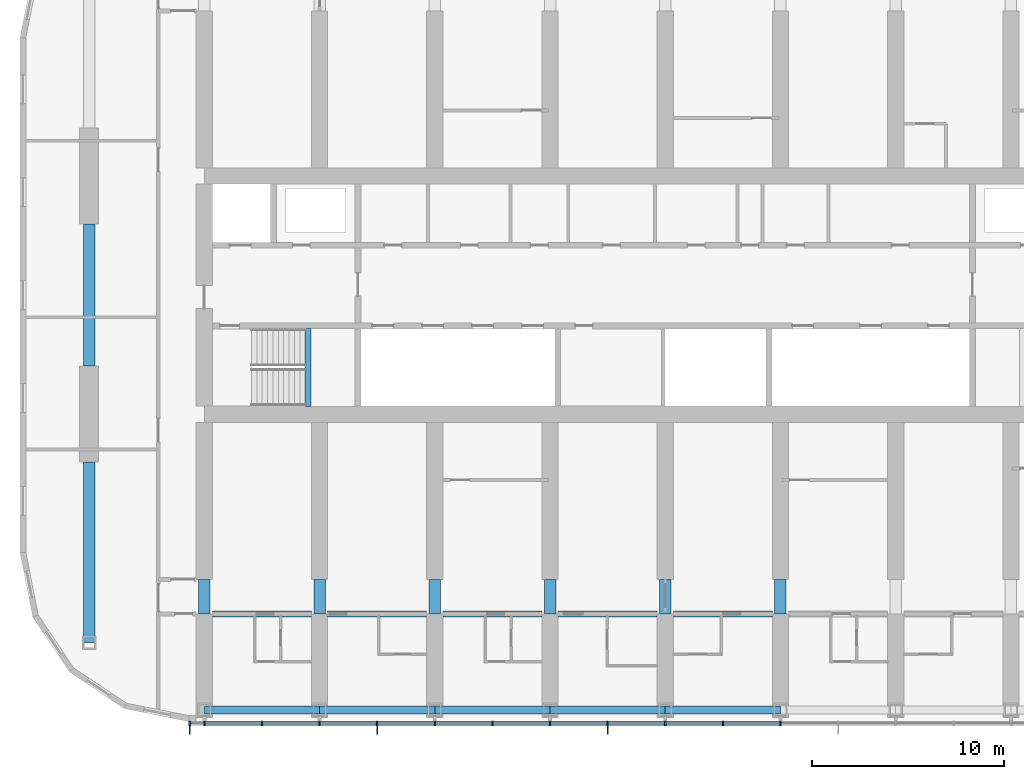
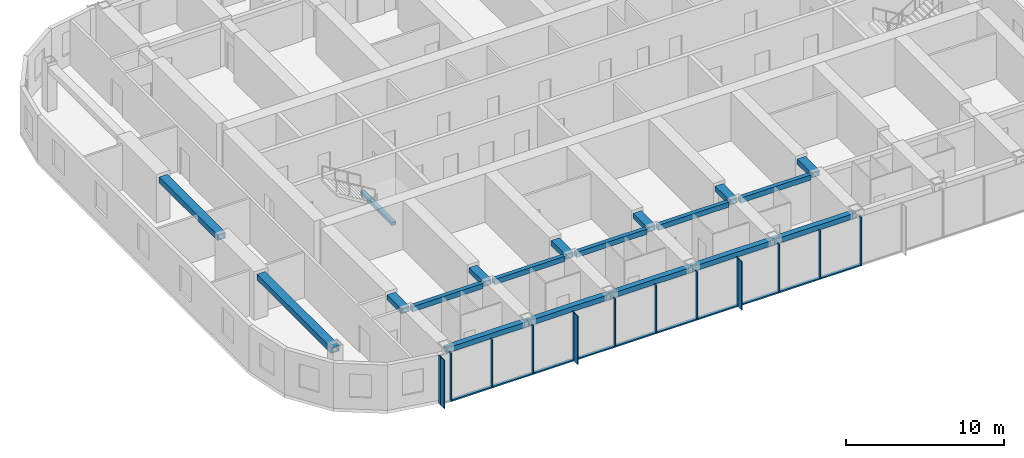
# One storey, part 2 of 22: 25 members, 19 beams, 1 element without a shape of its own.
"""IFC4 building model written with IfcOpenShell, lengths in metres."""

import ifcopenshell
import ifcopenshell.guid

model = None  # the IFC model being written
_history = None  # IfcOwnerHistory: only IFC2X3 demands one
_inside = {}  # id of a spatial element -> (the spatial element, [elements in it])
_under = {}  # id of a project, library or spatial element -> (it, [spatial elements below it])
_declared = {}  # id of a project -> (the project, [libraries it declares])
_typed = {}  # id of a type object -> (the type object, [elements of that type])
_made_of = {}  # id of a material, layer set ... -> (it, [elements and type objects made of it])


def new_model(schema):
    """Start an empty IFC model of exactly this schema.

    Asked for "IFC4X3", IfcOpenShell would pick the latest addendum, in which some entities
    have other attributes; the version numbers below select the first issue.
    IFC2X3 requires an IfcOwnerHistory on every rooted entity: one is made here for all.
    """
    global model, _history
    if schema == "IFC4X3":
        model = ifcopenshell.file(schema_version=(4, 3, 0, 0))
    else:
        model = ifcopenshell.file(schema=schema)
    _inside.clear()
    _under.clear()
    _declared.clear()
    _typed.clear()
    _made_of.clear()
    _history = None
    if model.schema == "IFC2X3":
        org = make("IfcOrganization", Name="unknown")
        user = make(
            "IfcPersonAndOrganization",
            ThePerson=make("IfcPerson", FamilyName="unknown"),
            TheOrganization=org,
        )
        app = make(
            "IfcApplication",
            ApplicationDeveloper=org,
            Version="unknown",
            ApplicationFullName="unknown",
            ApplicationIdentifier="unknown",
        )
        _history = make(
            "IfcOwnerHistory",
            OwningUser=user,
            OwningApplication=app,
            ChangeAction="ADDED",
            CreationDate=0,
        )
    return model


def make(cls, **values):
    """One entity of the class cls with the attributes given. An attribute that is None is left unset."""
    return model.create_entity(
        cls, **{name: value for name, value in values.items() if value is not None}
    )


def rooted(cls, **values):
    """An entity with a GlobalId (a new one), such as an element, a storey or a relation."""
    return make(cls, GlobalId=ifcopenshell.guid.new(), OwnerHistory=_history, **values)


def si_unit(unit_type, name, prefix=None):
    """IfcSIUnit, for example si_unit("LENGTHUNIT", "METRE", prefix="MILLI")."""
    return make("IfcSIUnit", UnitType=unit_type, Prefix=prefix, Name=name)


def assignment(units):
    """IfcUnitAssignment: the units of a project."""
    return None if units is None else make("IfcUnitAssignment", Units=units)


def point(xyz):
    """IfcCartesianPoint."""
    return None if xyz is None else make("IfcCartesianPoint", Coordinates=xyz)


def direction(xyz):
    """IfcDirection."""
    return None if xyz is None else make("IfcDirection", DirectionRatios=xyz)


def frame(location, z_axis=None, x_axis=None):
    """IfcAxis2Placement3D, a coordinate frame: its origin and axes. An axis left out is left unset."""
    return make(
        "IfcAxis2Placement3D",
        Location=point(location),
        Axis=direction(z_axis),
        RefDirection=direction(x_axis),
    )


def frame_2d(location, x_axis=None):
    """IfcAxis2Placement2D, a coordinate frame in the plane: its origin and x axis."""
    return make(
        "IfcAxis2Placement2D", Location=point(location), RefDirection=direction(x_axis)
    )


def origin():
    """The frame at (0, 0, 0) with its axes left unset."""
    return frame((0.0, 0.0, 0.0))


def origin_2d():
    """The frame at (0, 0) in the plane with its x axis left unset."""
    return frame_2d((0.0, 0.0))


def place(relative_to, where):
    """IfcLocalPlacement: puts the frame where relative to a parent placement (None: the world)."""
    return make(
        "IfcLocalPlacement", PlacementRelTo=relative_to, RelativePlacement=where
    )


def context(
    kind, dimensions, precision=None, world=None, true_north=None, identifier=None
):
    """IfcGeometricRepresentationContext, for example the 3D "Model" context."""
    return make(
        "IfcGeometricRepresentationContext",
        ContextIdentifier=identifier,
        ContextType=kind,
        CoordinateSpaceDimension=dimensions,
        Precision=precision,
        WorldCoordinateSystem=world,
        TrueNorth=true_north,
    )


def subcontext(parent, identifier, kind, view, scale=None):
    """IfcGeometricRepresentationSubContext, for example "Body" below "Model"."""
    return make(
        "IfcGeometricRepresentationSubContext",
        ContextIdentifier=identifier,
        ContextType=kind,
        ParentContext=parent,
        TargetScale=scale,
        TargetView=view,
    )


def project(units=None, contexts=None):
    """IfcProject with its units and contexts."""
    return rooted(
        "IfcProject",
        Name="project",
        RepresentationContexts=contexts,
        UnitsInContext=assignment(units),
    )


def spatial(cls, under=None, at=None, **own):
    """A site, building, storey or space (cls), placed at a placement, below another one or the project."""
    s = rooted(cls, ObjectPlacement=at, **own)
    if under is not None:
        _under.setdefault(under.id(), (under, []))[1].append(s)
    return s


def profile(cls, at=None, kind="AREA", **sizes):
    """A parametric profile (cls). Its sizes go by their IFC names, for example OverallWidth=200.0."""
    return make(cls, ProfileType=kind, Position=at, **sizes)


def rectangle(**sizes):
    """IfcRectangleProfileDef."""
    return profile("IfcRectangleProfileDef", **sizes)


def hollow_rectangle(**sizes):
    """IfcRectangleHollowProfileDef."""
    return profile("IfcRectangleHollowProfileDef", **sizes)


def extrude(swept, where, along, depth):
    """IfcExtrudedAreaSolid: the profile swept, set in the frame where, extruded along a direction by depth."""
    return make(
        "IfcExtrudedAreaSolid",
        SweptArea=swept,
        Position=where,
        ExtrudedDirection=direction(along),
        Depth=depth,
    )


def shape(context_of_items, identifier, shape_type, items):
    """IfcShapeRepresentation: the items that make up one representation, for example the "Body"."""
    return make(
        "IfcShapeRepresentation",
        ContextOfItems=context_of_items,
        RepresentationIdentifier=identifier,
        RepresentationType=shape_type,
        Items=items,
    )


def material(Name=None, Category=None):
    """IfcMaterial."""
    return make("IfcMaterial", Name=Name, Category=Category)


def material_profile(
    of_material, cross_section, Name=None, Category=None, Priority=None
):
    """IfcMaterialProfile: a cross section and its material."""
    return make(
        "IfcMaterialProfile",
        Name=Name,
        Material=of_material,
        Profile=cross_section,
        Priority=Priority,
        Category=Category,
    )


def profile_set(profiles, Name=None, composite=None):
    """IfcMaterialProfileSet."""
    return make(
        "IfcMaterialProfileSet",
        Name=Name,
        MaterialProfiles=profiles,
        CompositeProfile=composite,
    )


def made_of(thing, what):
    """Note that an element or type object is made of a material, layer set ...; save() writes the relation."""
    if what is not None:
        _made_of.setdefault(what.id(), (what, []))[1].append(thing)
    return thing


def type_object(cls, material=None, **own):
    """A type object (cls), such as IfcWallType, which elements share."""
    return made_of(rooted(cls, **own), material)


def element(
    cls,
    number,
    at=None,
    inside=None,
    cuts=None,
    type_object=None,
    material=None,
    context=None,
    identifier="Body",
    shape_type=None,
    held_by="IfcProductDefinitionShape",
    body=None,
    shapes=None,
    **own,
):
    """One element of the class cls, such as IfcWall. Its Tag is "e" and its number.

    at: its placement. inside: the storey or other place that contains it. cuts: it is an
    opening in that element (IfcRelVoidsElement). A single representation is given by context,
    identifier, shape_type and body (its items); several are given by shapes. held_by: the class
    of the entity that holds the representations. save() writes the other relations.
    """
    e = rooted(cls, Tag="e%d" % number, ObjectPlacement=at, **own)
    if body is not None:
        shapes = [shape(context, identifier, shape_type, body)]
    if shapes is not None:
        e.Representation = make(held_by, Representations=shapes)
    if inside is not None:
        _inside.setdefault(inside.id(), (inside, []))[1].append(e)
    if cuts is not None:
        rooted(
            "IfcRelVoidsElement", RelatingBuildingElement=cuts, RelatedOpeningElement=e
        )
    if type_object is not None:
        _typed.setdefault(type_object.id(), (type_object, []))[1].append(e)
    return made_of(e, material)


def aggregate(whole, parts):
    """IfcRelAggregates: a whole, such as a stair, and the parts it consists of."""
    return rooted("IfcRelAggregates", RelatingObject=whole, RelatedObjects=parts)


def save(model, path):
    """Write the relations noted so far, then the file.

    IfcRelAggregates (storeys below a building ...), IfcRelContainedInSpatialStructure (elements
    in a storey), IfcRelDefinesByType, IfcRelAssociatesMaterial and IfcRelDeclares: one each for
    every whole, place, type object, material and project.
    """
    for whole, parts in _under.values():
        aggregate(whole, parts)
    for where, things in _inside.values():
        rooted(
            "IfcRelContainedInSpatialStructure",
            RelatedElements=things,
            RelatingStructure=where,
        )
    for kind, things in _typed.values():
        rooted("IfcRelDefinesByType", RelatedObjects=things, RelatingType=kind)
    for what, things in _made_of.values():
        rooted("IfcRelAssociatesMaterial", RelatedObjects=things, RelatingMaterial=what)
    for by, libraries in _declared.values():
        rooted("IfcRelDeclares", RelatingContext=by, RelatedDefinitions=libraries)
    model.write(path)


model = new_model("IFC4")

# Units and contexts
model_context = context("Model", 3, precision=1e-05, world=origin(), true_north=direction((0.0, 1.0)))
body_context = subcontext(model_context, "Body", "Model", "MODEL_VIEW")
ifc_project = project(units=[si_unit("LENGTHUNIT", "METRE"), si_unit("AREAUNIT", "SQUARE_METRE"), si_unit("VOLUMEUNIT", "CUBIC_METRE"), si_unit("PLANEANGLEUNIT", "RADIAN"), si_unit("MASSUNIT", "GRAM", prefix="KILO")], contexts=[model_context])

# Site, building, storey
site_placement = place(None, origin())
site = spatial("IfcSite", under=ifc_project, at=site_placement, CompositionType="ELEMENT")
building_placement = place(site_placement, origin())
building = spatial("IfcBuilding", under=site, at=building_placement, Name="Orbita Commons", CompositionType="ELEMENT")
storey_placement = place(building_placement, frame((0.0, 0.0, 156.10009765625)))
storey = spatial("IfcBuildingStorey", under=building, at=storey_placement, Name="L38", CompositionType="ELEMENT", Elevation=156.10009765625)

# Curtain wall, members
ifc_material_1 = material(Name="Anodised aluminium frame, pale silver", Category="aluminium")
curtain_wall_type = type_object("IfcCurtainWallType", Name="Unitised curtain wall CW-U, full-height vision", PredefinedType="NOTDEFINED", material=ifc_material_1)
curtain_wall_placement = place(storey_placement, origin())
curtain_wall = element("IfcCurtainWall", 1, at=curtain_wall_placement, inside=storey, type_object=curtain_wall_type, Name="Curtain wall south L38", PredefinedType="NOTDEFINED")
ifc_material_2 = material(Name="Anodised aluminium, pale silver", Category="aluminium")
ifc_material_profile_1 = material_profile(ifc_material_2, rectangle(XDim=0.080078125, YDim=0.219970703125, at=origin_2d()), Name="AL 80x220")
ifc_profile_set_1 = profile_set([ifc_material_profile_1], Name="Anodised aluminium, pale silver")
member_type_1 = type_object("IfcMemberType", Name="Curtain wall mullion 80x220", PredefinedType="MULLION", material=ifc_profile_set_1)
member_1_placement = place(storey_placement, frame((17.239990234375, 9.68994140625, -0.25), z_axis=(0.0, 0.0, 1.0), x_axis=(1.0, 0.0, 0.0)))
member_1 = element("IfcMember", 2, at=member_1_placement, type_object=member_type_1, Name="Mullion 1 CW-L38-S", PredefinedType="MULLION", context=body_context, shape_type="SweptSolid", body=[
    extrude(rectangle(XDim=0.080078125, YDim=0.219970703125, at=origin_2d()), origin(), (0.0, 0.0, 1.0), 3.75),
])
member_2_placement = place(storey_placement, frame((18.0, 9.68994140625, -0.25), z_axis=(0.0, 0.0, 1.0), x_axis=(1.0, 0.0, 0.0)))
member_2 = element("IfcMember", 3, at=member_2_placement, type_object=member_type_1, Name="Mullion 2 CW-L38-S", PredefinedType="MULLION", context=body_context, shape_type="SweptSolid", body=[
    extrude(rectangle(XDim=0.080078125, YDim=0.219970703125, at=origin_2d()), origin(), (0.0, 0.0, 1.0), 3.75),
])
member_3_placement = place(storey_placement, frame((21.0, 9.68994140625, -0.25), z_axis=(0.0, 0.0, 1.0), x_axis=(1.0, 0.0, 0.0)))
member_3 = element("IfcMember", 4, at=member_3_placement, type_object=member_type_1, Name="Mullion 3 CW-L38-S", PredefinedType="MULLION", context=body_context, shape_type="SweptSolid", body=[
    extrude(rectangle(XDim=0.080078125, YDim=0.219970703125, at=origin_2d()), origin(), (0.0, 0.0, 1.0), 3.75),
])
member_4_placement = place(storey_placement, frame((24.0, 9.68994140625, -0.25), z_axis=(0.0, 0.0, 1.0), x_axis=(1.0, 0.0, 0.0)))
member_4 = element("IfcMember", 5, at=member_4_placement, type_object=member_type_1, Name="Mullion 4 CW-L38-S", PredefinedType="MULLION", context=body_context, shape_type="SweptSolid", body=[
    extrude(rectangle(XDim=0.080078125, YDim=0.219970703125, at=origin_2d()), origin(), (0.0, 0.0, 1.0), 3.75),
])
member_5_placement = place(storey_placement, frame((27.0, 9.68994140625, -0.25), z_axis=(0.0, 0.0, 1.0), x_axis=(1.0, 0.0, 0.0)))
member_5 = element("IfcMember", 6, at=member_5_placement, type_object=member_type_1, Name="Mullion 5 CW-L38-S", PredefinedType="MULLION", context=body_context, shape_type="SweptSolid", body=[
    extrude(rectangle(XDim=0.080078125, YDim=0.219970703125, at=origin_2d()), origin(), (0.0, 0.0, 1.0), 3.75),
])
member_6_placement = place(storey_placement, frame((30.0, 9.68994140625, -0.25), z_axis=(0.0, 0.0, 1.0), x_axis=(1.0, 0.0, 0.0)))
member_6 = element("IfcMember", 7, at=member_6_placement, type_object=member_type_1, Name="Mullion 6 CW-L38-S", PredefinedType="MULLION", context=body_context, shape_type="SweptSolid", body=[
    extrude(rectangle(XDim=0.080078125, YDim=0.219970703125, at=origin_2d()), origin(), (0.0, 0.0, 1.0), 3.75),
])
member_7_placement = place(storey_placement, frame((33.0, 9.68994140625, -0.25), z_axis=(0.0, 0.0, 1.0), x_axis=(1.0, 0.0, 0.0)))
member_7 = element("IfcMember", 8, at=member_7_placement, type_object=member_type_1, Name="Mullion 7 CW-L38-S", PredefinedType="MULLION", context=body_context, shape_type="SweptSolid", body=[
    extrude(rectangle(XDim=0.080078125, YDim=0.219970703125, at=origin_2d()), origin(), (0.0, 0.0, 1.0), 3.75),
])
member_8_placement = place(storey_placement, frame((36.0, 9.68994140625, -0.25), z_axis=(0.0, 0.0, 1.0), x_axis=(1.0, 0.0, 0.0)))
member_8 = element("IfcMember", 9, at=member_8_placement, type_object=member_type_1, Name="Mullion 8 CW-L38-S", PredefinedType="MULLION", context=body_context, shape_type="SweptSolid", body=[
    extrude(rectangle(XDim=0.080078125, YDim=0.219970703125, at=origin_2d()), origin(), (0.0, 0.0, 1.0), 3.75),
])
member_9_placement = place(storey_placement, frame((39.0, 9.68994140625, -0.25), z_axis=(0.0, 0.0, 1.0), x_axis=(1.0, 0.0, 0.0)))
member_9 = element("IfcMember", 10, at=member_9_placement, type_object=member_type_1, Name="Mullion 9 CW-L38-S", PredefinedType="MULLION", context=body_context, shape_type="SweptSolid", body=[
    extrude(rectangle(XDim=0.080078125, YDim=0.219970703125, at=origin_2d()), origin(), (0.0, 0.0, 1.0), 3.75),
])
member_10_placement = place(storey_placement, frame((42.0, 9.68994140625, -0.25), z_axis=(0.0, 0.0, 1.0), x_axis=(1.0, 0.0, 0.0)))
member_10 = element("IfcMember", 11, at=member_10_placement, type_object=member_type_1, Name="Mullion 10 CW-L38-S", PredefinedType="MULLION", context=body_context, shape_type="SweptSolid", body=[
    extrude(rectangle(XDim=0.080078125, YDim=0.219970703125, at=origin_2d()), origin(), (0.0, 0.0, 1.0), 3.75),
])
member_11_placement = place(storey_placement, frame((45.0, 9.68994140625, -0.25), z_axis=(0.0, 0.0, 1.0), x_axis=(1.0, 0.0, 0.0)))
member_11 = element("IfcMember", 12, at=member_11_placement, type_object=member_type_1, Name="Mullion 11 CW-L38-S", PredefinedType="MULLION", context=body_context, shape_type="SweptSolid", body=[
    extrude(rectangle(XDim=0.080078125, YDim=0.219970703125, at=origin_2d()), origin(), (0.0, 0.0, 1.0), 3.75),
])
member_12_placement = place(storey_placement, frame((48.0, 9.68994140625, -0.25), z_axis=(0.0, 0.0, 1.0), x_axis=(1.0, 0.0, 0.0)))
member_12 = element("IfcMember", 13, at=member_12_placement, type_object=member_type_1, Name="Mullion 12 CW-L38-S", PredefinedType="MULLION", context=body_context, shape_type="SweptSolid", body=[
    extrude(rectangle(XDim=0.080078125, YDim=0.219970703125, at=origin_2d()), origin(), (0.0, 0.0, 1.0), 3.75),
])
ifc_material_3 = material(Name="Anodised aluminium, pale silver", Category="aluminium")
ifc_material_profile_2 = material_profile(ifc_material_3, rectangle(XDim=0.219970703125, YDim=0.10009765625, at=origin_2d()), Name="AL 220x100")
ifc_profile_set_2 = profile_set([ifc_material_profile_2], Name="Anodised aluminium, pale silver")
member_type_2 = type_object("IfcMemberType", Name="Curtain wall stack transom 220x100", PredefinedType="USERDEFINED", material=ifc_profile_set_2)
member_13_placement = place(storey_placement, frame((18.0400390625, 9.68994140625, -0.2001953125), z_axis=(1.0, 0.0, 0.0), x_axis=(0.0, 1.0, 0.0)))
member_13 = element("IfcMember", 14, at=member_13_placement, type_object=member_type_2, Name="Transom 2.1 CW-L38-S", ObjectType="TRANSOM", PredefinedType="USERDEFINED", context=body_context, shape_type="SweptSolid", body=[
    extrude(rectangle(XDim=0.219970703125, YDim=0.10009765625, at=origin_2d()), origin(), (0.0, 0.0, 1.0), 2.919921875),
])
member_14_placement = place(storey_placement, frame((21.0400390625, 9.68994140625, -0.2001953125), z_axis=(1.0, 0.0, 0.0), x_axis=(0.0, 1.0, 0.0)))
member_14 = element("IfcMember", 15, at=member_14_placement, type_object=member_type_2, Name="Transom 3.1 CW-L38-S", ObjectType="TRANSOM", PredefinedType="USERDEFINED", context=body_context, shape_type="SweptSolid", body=[
    extrude(rectangle(XDim=0.219970703125, YDim=0.10009765625, at=origin_2d()), origin(), (0.0, 0.0, 1.0), 2.919921875),
])
member_15_placement = place(storey_placement, frame((24.0400390625, 9.68994140625, -0.2001953125), z_axis=(1.0, 0.0, 0.0), x_axis=(0.0, 1.0, 0.0)))
member_15 = element("IfcMember", 16, at=member_15_placement, type_object=member_type_2, Name="Transom 4.1 CW-L38-S", ObjectType="TRANSOM", PredefinedType="USERDEFINED", context=body_context, shape_type="SweptSolid", body=[
    extrude(rectangle(XDim=0.219970703125, YDim=0.10009765625, at=origin_2d()), origin(), (0.0, 0.0, 1.0), 2.919921875),
])
member_16_placement = place(storey_placement, frame((27.0400390625, 9.68994140625, -0.2001953125), z_axis=(1.0, 0.0, 0.0), x_axis=(0.0, 1.0, 0.0)))
member_16 = element("IfcMember", 17, at=member_16_placement, type_object=member_type_2, Name="Transom 5.1 CW-L38-S", ObjectType="TRANSOM", PredefinedType="USERDEFINED", context=body_context, shape_type="SweptSolid", body=[
    extrude(rectangle(XDim=0.219970703125, YDim=0.10009765625, at=origin_2d()), origin(), (0.0, 0.0, 1.0), 2.919921875),
])
member_17_placement = place(storey_placement, frame((30.0400390625, 9.68994140625, -0.2001953125), z_axis=(1.0, 0.0, 0.0), x_axis=(0.0, 1.0, 0.0)))
member_17 = element("IfcMember", 18, at=member_17_placement, type_object=member_type_2, Name="Transom 6.1 CW-L38-S", ObjectType="TRANSOM", PredefinedType="USERDEFINED", context=body_context, shape_type="SweptSolid", body=[
    extrude(rectangle(XDim=0.219970703125, YDim=0.10009765625, at=origin_2d()), origin(), (0.0, 0.0, 1.0), 2.919921875),
])
member_18_placement = place(storey_placement, frame((33.0400390625, 9.68994140625, -0.2001953125), z_axis=(1.0, 0.0, 0.0), x_axis=(0.0, 1.0, 0.0)))
member_18 = element("IfcMember", 19, at=member_18_placement, type_object=member_type_2, Name="Transom 7.1 CW-L38-S", ObjectType="TRANSOM", PredefinedType="USERDEFINED", context=body_context, shape_type="SweptSolid", body=[
    extrude(rectangle(XDim=0.219970703125, YDim=0.10009765625, at=origin_2d()), origin(), (0.0, 0.0, 1.0), 2.919921875),
])
member_19_placement = place(storey_placement, frame((36.0400390625, 9.68994140625, -0.2001953125), z_axis=(1.0, 0.0, 0.0), x_axis=(0.0, 1.0, 0.0)))
member_19 = element("IfcMember", 20, at=member_19_placement, type_object=member_type_2, Name="Transom 8.1 CW-L38-S", ObjectType="TRANSOM", PredefinedType="USERDEFINED", context=body_context, shape_type="SweptSolid", body=[
    extrude(rectangle(XDim=0.219970703125, YDim=0.10009765625, at=origin_2d()), origin(), (0.0, 0.0, 1.0), 2.919921875),
])
member_20_placement = place(storey_placement, frame((39.0400390625, 9.68994140625, -0.2001953125), z_axis=(1.0, 0.0, 0.0), x_axis=(0.0, 1.0, 0.0)))
member_20 = element("IfcMember", 21, at=member_20_placement, type_object=member_type_2, Name="Transom 9.1 CW-L38-S", ObjectType="TRANSOM", PredefinedType="USERDEFINED", context=body_context, shape_type="SweptSolid", body=[
    extrude(rectangle(XDim=0.219970703125, YDim=0.10009765625, at=origin_2d()), origin(), (0.0, 0.0, 1.0), 2.919921875),
])
member_21_placement = place(storey_placement, frame((42.0400390625, 9.68994140625, -0.2001953125), z_axis=(1.0, 0.0, 0.0), x_axis=(0.0, 1.0, 0.0)))
member_21 = element("IfcMember", 22, at=member_21_placement, type_object=member_type_2, Name="Transom 10.1 CW-L38-S", ObjectType="TRANSOM", PredefinedType="USERDEFINED", context=body_context, shape_type="SweptSolid", body=[
    extrude(rectangle(XDim=0.219970703125, YDim=0.10009765625, at=origin_2d()), origin(), (0.0, 0.0, 1.0), 2.919921875),
])
member_22_placement = place(storey_placement, frame((45.0400390625, 9.68994140625, -0.2001953125), z_axis=(1.0, 0.0, 0.0), x_axis=(0.0, 1.0, 0.0)))
member_22 = element("IfcMember", 23, at=member_22_placement, type_object=member_type_2, Name="Transom 11.1 CW-L38-S", ObjectType="TRANSOM", PredefinedType="USERDEFINED", context=body_context, shape_type="SweptSolid", body=[
    extrude(rectangle(XDim=0.219970703125, YDim=0.10009765625, at=origin_2d()), origin(), (0.0, 0.0, 1.0), 2.919921875),
])

# Beams
ifc_material_4 = material(Name="Steel ASTM A572 Gr 50 welded plate", Category="steel")
ifc_material_profile_3 = material_profile(ifc_material_4, hollow_rectangle(XDim=0.300048828125, YDim=0.25, WallThickness=0.02490234375, at=origin_2d()), Name="BOX 250x300x25")
ifc_profile_set_3 = profile_set([ifc_material_profile_3], Name="Steel ASTM A572 Gr 50 welded plate")
beam_type_1 = type_object("IfcBeamType", Name="Stair landing beam steel BOX 250x300x25", PredefinedType="BEAM", material=ifc_profile_set_3)
beam_1_placement = place(storey_placement, frame((23.39990234375, 26.2099609375, 1.5498046875), z_axis=(0.0, 1.0, 0.0), x_axis=(-1.0, 0.0, 0.0)))
element("IfcBeam", 24, at=beam_1_placement, inside=storey, type_object=beam_type_1, Name="Stair S1 landing beam L38 1", PredefinedType="BEAM", context=body_context, shape_type="SweptSolid", body=[
    extrude(hollow_rectangle(XDim=0.300048828125, YDim=0.25, WallThickness=0.02490234375, at=origin_2d()), origin(), (0.0, 0.0, 1.0), 4.054931640625),
])
ifc_material_5 = material(Name="Steel ASTM A572 Gr 50 welded plate", Category="steel")
ifc_material_profile_4 = material_profile(ifc_material_5, hollow_rectangle(XDim=0.300048828125, YDim=0.39990234375, WallThickness=0.0400390625, at=origin_2d()), Name="BOX 400x300x40")
ifc_profile_set_4 = profile_set([ifc_material_profile_4], Name="Steel ASTM A572 Gr 50 welded plate")
beam_type_2 = type_object("IfcBeamType", Name="Steel corridor link BOX 400x300x40", PredefinedType="BEAM", material=ifc_profile_set_4)
for number, where, z_axis, x_axis, name in (
    (25, (18.425048828125, 15.39990234375, 3.2998046875), (1.0, 0.0, 0.0), (0.0, 1.0, 0.0), "Corridor beam SA 4-5 L38"),
    (26, (24.425048828125, 15.39990234375, 3.2998046875), (1.0, 0.0, 0.0), (0.0, 1.0, 0.0), "Corridor beam SA 5-6 L38"),
    (27, (30.425048828125, 15.39990234375, 3.2998046875), (1.0, 0.0, 0.0), (0.0, 1.0, 0.0), "Corridor beam SA 6-7 L38"),
    (28, (36.425048828125, 15.39990234375, 3.2998046875), (1.0, 0.0, 0.0), (0.0, 1.0, 0.0), "Corridor beam SA 7-8 L38"),
    (29, (42.425048828125, 15.39990234375, 3.2998046875), (1.0, 0.0, 0.0), (0.0, 1.0, 0.0), "Corridor beam SA 8-9 L38"),
):
    element("IfcBeam", number, at=place(storey_placement, frame(where, z_axis=z_axis, x_axis=x_axis)), inside=storey, type_object=beam_type_2, Name=name, PredefinedType="BEAM", context=body_context, shape_type="SweptSolid", body=[
        extrude(hollow_rectangle(XDim=0.300048828125, YDim=0.39990234375, WallThickness=0.0400390625, at=origin_2d()), origin(), (0.0, 0.0, 1.0), 5.14990234375),
    ])
ifc_material_6 = material(Name="Steel ASTM A572 Gr 50 welded plate", Category="steel")
ifc_material_profile_5 = material_profile(ifc_material_6, hollow_rectangle(XDim=0.60009765625, YDim=0.39990234375, WallThickness=0.050048828125, at=origin_2d()), Name="BOX 400x600x50")
ifc_profile_set_5 = profile_set([ifc_material_profile_5], Name="Steel ASTM A572 Gr 50 welded plate")
beam_type_3 = type_object("IfcBeamType", Name="Steel coupling link BOX 400x600x50", PredefinedType="LINTEL", material=ifc_profile_set_5)
for number, where, z_axis, x_axis, name in (
    (30, (18.0, 15.39990234375, 3.2998046875), (0.0, 1.0, 0.0), (-1.0, 0.0, 0.0), "Coupling beam 4 south L38"),
    (31, (24.0, 15.39990234375, 3.2998046875), (0.0, 1.0, 0.0), (-1.0, 0.0, 0.0), "Coupling beam 5 south L38"),
    (32, (30.0, 15.39990234375, 3.2998046875), (0.0, 1.0, 0.0), (-1.0, 0.0, 0.0), "Coupling beam 6 south L38"),
    (33, (36.0, 15.39990234375, 3.2998046875), (0.0, 1.0, 0.0), (-1.0, 0.0, 0.0), "Coupling beam 7 south L38"),
    (34, (42.0, 15.39990234375, 3.2998046875), (0.0, 1.0, 0.0), (-1.0, 0.0, 0.0), "Coupling beam 8 south L38"),
    (35, (48.0, 15.39990234375, 3.2998046875), (0.0, 1.0, 0.0), (-1.0, 0.0, 0.0), "Coupling beam 9 south L38"),
):
    element("IfcBeam", number, at=place(storey_placement, frame(where, z_axis=z_axis, x_axis=x_axis)), inside=storey, type_object=beam_type_3, Name=name, PredefinedType="LINTEL", context=body_context, shape_type="SweptSolid", body=[
        extrude(hollow_rectangle(XDim=0.60009765625, YDim=0.39990234375, WallThickness=0.050048828125, at=origin_2d()), origin(), (0.0, 0.0, 1.0), 1.800048828125),
    ])
ifc_material_7 = material(Name="Steel ASTM A572 Gr 50 welded plate", Category="steel")
ifc_material_profile_6 = material_profile(ifc_material_7, hollow_rectangle(XDim=0.60009765625, YDim=0.449951171875, WallThickness=0.06005859375, at=origin_2d()), Name="BOX 450x600x60")
ifc_profile_set_6 = profile_set([ifc_material_profile_6], Name="Steel ASTM A572 Gr 50 welded plate")
beam_type_4 = type_object("IfcBeamType", Name="Steel end frame link BOX 450x600x60", PredefinedType="BEAM", material=ifc_profile_set_6)
beam_2_placement = place(storey_placement, frame((12.0, 13.89990234375, 3.27490234375), z_axis=(0.0, 1.0, 0.0), x_axis=(-1.0, 0.0, 0.0)))
element("IfcBeam", 36, at=beam_2_placement, inside=storey, type_object=beam_type_4, Name="End frame beam 3 B-C L38", PredefinedType="BEAM", context=body_context, shape_type="SweptSolid", body=[
    extrude(hollow_rectangle(XDim=0.60009765625, YDim=0.449951171875, WallThickness=0.06005859375, at=origin_2d()), origin(), (0.0, 0.0, 1.0), 9.400146484375),
])
beam_3_placement = place(storey_placement, frame((12.0, 28.300048828125, 3.27490234375), z_axis=(0.0, 1.0, 0.0), x_axis=(-1.0, 0.0, 0.0)))
element("IfcBeam", 37, at=beam_3_placement, inside=storey, type_object=beam_type_4, Name="End frame beam 3 C-D L38", PredefinedType="BEAM", context=body_context, shape_type="SweptSolid", body=[
    extrude(hollow_rectangle(XDim=0.60009765625, YDim=0.449951171875, WallThickness=0.06005859375, at=origin_2d()), origin(), (0.0, 0.0, 1.0), 7.39990234375),
])
ifc_material_8 = material(Name="Steel ASTM A572 Gr 50 welded plate", Category="steel")
ifc_material_profile_7 = material_profile(ifc_material_8, hollow_rectangle(XDim=0.39990234375, YDim=0.39990234375, WallThickness=0.0400390625, at=origin_2d()), Name="BOX 400x400x40")
ifc_profile_set_7 = profile_set([ifc_material_profile_7], Name="Steel ASTM A572 Gr 50 welded plate")
beam_type_5 = type_object("IfcBeamType", Name="Steel spandrel BOX 400x400x40", PredefinedType="SPANDREL", material=ifc_profile_set_7)
for number, where, z_axis, x_axis, name in (
    (38, (18.0, 10.39990234375, 3.2998046875), (1.0, 0.0, 0.0), (0.0, 1.0, 0.0), "Spandrel beam B 4-5 L38"),
    (39, (24.0, 10.39990234375, 3.2998046875), (1.0, 0.0, 0.0), (0.0, 1.0, 0.0), "Spandrel beam B 5-6 L38"),
    (40, (30.0, 10.39990234375, 3.2998046875), (1.0, 0.0, 0.0), (0.0, 1.0, 0.0), "Spandrel beam B 6-7 L38"),
    (41, (36.0, 10.39990234375, 3.2998046875), (1.0, 0.0, 0.0), (0.0, 1.0, 0.0), "Spandrel beam B 7-8 L38"),
    (42, (42.0, 10.39990234375, 3.2998046875), (1.0, 0.0, 0.0), (0.0, 1.0, 0.0), "Spandrel beam B 8-9 L38"),
):
    element("IfcBeam", number, at=place(storey_placement, frame(where, z_axis=z_axis, x_axis=x_axis)), inside=storey, type_object=beam_type_5, Name=name, PredefinedType="SPANDREL", context=body_context, shape_type="SweptSolid", body=[
        extrude(hollow_rectangle(XDim=0.39990234375, YDim=0.39990234375, WallThickness=0.0400390625, at=origin_2d()), origin(), (0.0, 0.0, 1.0), 6.0),
    ])

# Member
ifc_material_9 = material(Name="Anodised aluminium, pale silver", Category="aluminium")
ifc_material_profile_8 = material_profile(ifc_material_9, rectangle(XDim=0.06005859375, YDim=0.449951171875, at=origin_2d()), Name="FIN 60x450")
ifc_profile_set_8 = profile_set([ifc_material_profile_8], Name="Anodised aluminium, pale silver")
member_type_3 = type_object("IfcMemberType", Name="Vertical fin 60x450 pale aluminium", PredefinedType="USERDEFINED", material=ifc_profile_set_8)
member_23_placement = place(storey_placement, frame((17.239990234375, 9.35498046875, -0.25), z_axis=(0.0, 0.0, 1.0), x_axis=(1.0, 0.0, 0.0)))
member_23 = element("IfcMember", 43, at=member_23_placement, type_object=member_type_3, Name="Fin 1 CW-L38-S", ObjectType="FIN", PredefinedType="USERDEFINED", context=body_context, shape_type="SweptSolid", body=[
    extrude(rectangle(XDim=0.06005859375, YDim=0.449951171875, at=origin_2d()), origin(), (0.0, 0.0, 1.0), 3.75),
])

member_24_placement = place(storey_placement, frame((27.0, 9.35498046875, -0.25), z_axis=(0.0, 0.0, 1.0), x_axis=(1.0, 0.0, 0.0)))
member_24 = element("IfcMember", 44, at=member_24_placement, type_object=member_type_3, Name="Fin 5 CW-L38-S", ObjectType="FIN", PredefinedType="USERDEFINED", context=body_context, shape_type="SweptSolid", body=[
    extrude(rectangle(XDim=0.06005859375, YDim=0.449951171875, at=origin_2d()), origin(), (0.0, 0.0, 1.0), 3.75),
])

member_25_placement = place(storey_placement, frame((39.0, 9.35498046875, -0.25), z_axis=(0.0, 0.0, 1.0), x_axis=(1.0, 0.0, 0.0)))
member_25 = element("IfcMember", 45, at=member_25_placement, type_object=member_type_3, Name="Fin 9 CW-L38-S", ObjectType="FIN", PredefinedType="USERDEFINED", context=body_context, shape_type="SweptSolid", body=[
    extrude(rectangle(XDim=0.06005859375, YDim=0.449951171875, at=origin_2d()), origin(), (0.0, 0.0, 1.0), 3.75),
])

aggregate(curtain_wall, [member_1, member_23, member_2, member_3, member_4, member_5, member_24, member_6, member_7, member_8, member_9, member_25, member_10, member_11, member_12, member_13, member_14, member_15, member_16, member_17, member_18, member_19, member_20, member_21, member_22])

save(model, "model.ifc")
